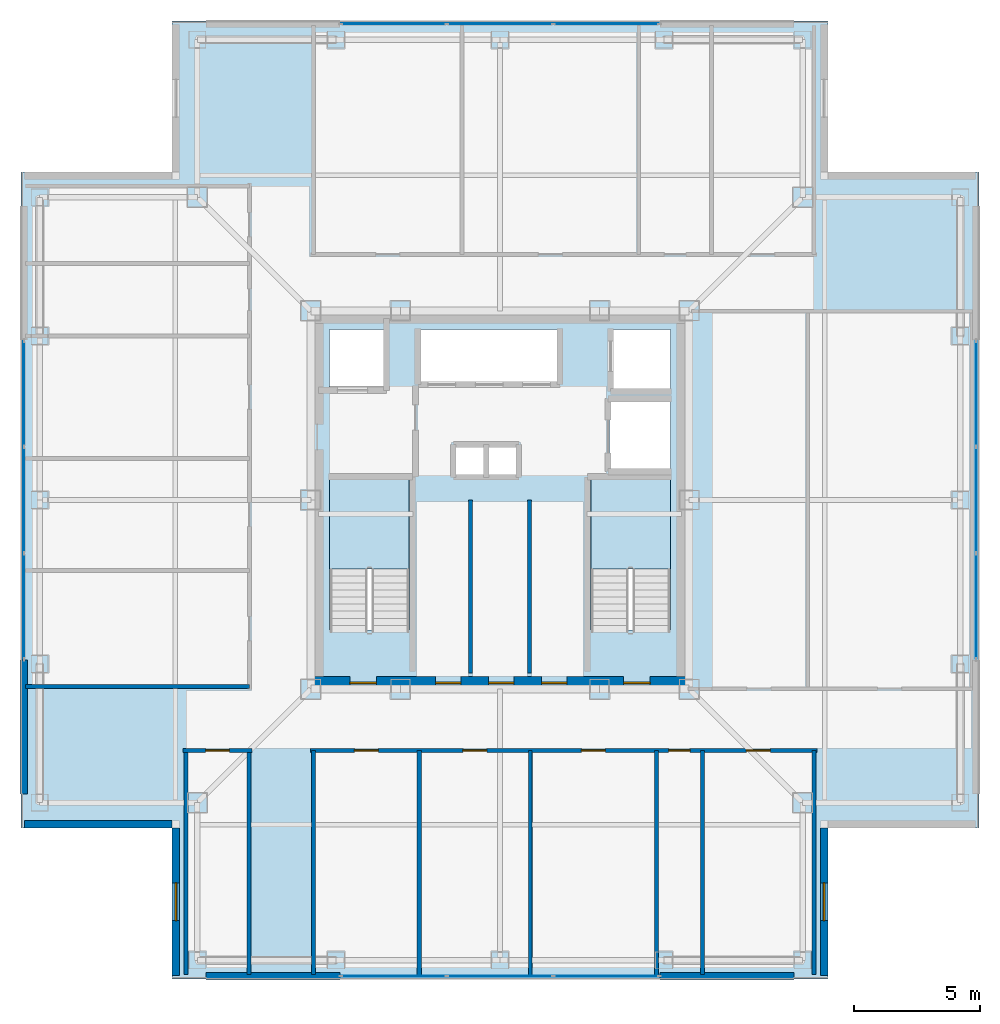
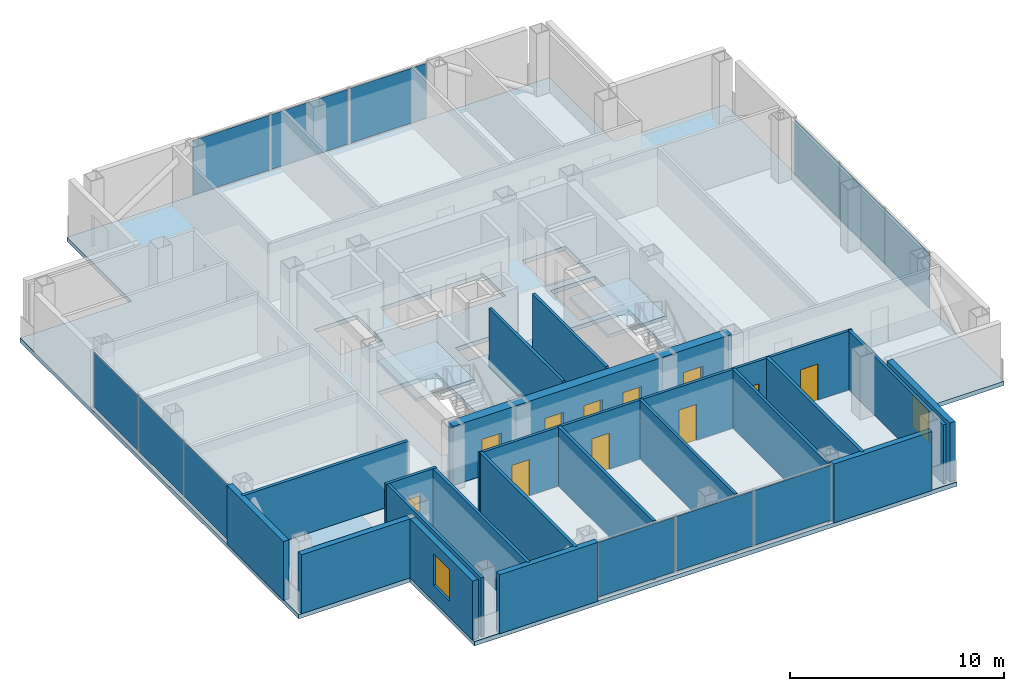
# One storey, part 8 of 16: 20 walls, 12 plates, 11 doors, 3 slabs, 2 windows, 13 openings, 6 elements without a shape of their own.
"""IFC4 building model written with IfcOpenShell, lengths in metres."""

from ifc_helpers import new_model, si_unit, direction, frame, frame_2d, origin, origin_2d, place, context, subcontext, project, spatial, polyline, rectangle, outline, extrude, material, layer, layer_set, type_object, element, fill, aggregate, save


model = new_model("IFC4")

# Units and contexts
model_context = context("Model", 3, precision=1e-05, world=origin(), true_north=direction((0.0, 1.0)))
body_context = subcontext(model_context, "Body", "Model", "MODEL_VIEW")
ifc_project = project(units=[si_unit("LENGTHUNIT", "METRE"), si_unit("AREAUNIT", "SQUARE_METRE"), si_unit("VOLUMEUNIT", "CUBIC_METRE"), si_unit("PLANEANGLEUNIT", "RADIAN"), si_unit("MASSUNIT", "GRAM", prefix="KILO")], contexts=[model_context])

# Site, building, storey
site_placement = place(None, origin())
site = spatial("IfcSite", under=ifc_project, at=site_placement, CompositionType="ELEMENT")
building_placement = place(site_placement, origin())
building = spatial("IfcBuilding", under=site, at=building_placement, Name="Trevonay Congress Spire", CompositionType="ELEMENT")
storey_placement = place(building_placement, frame((0.0, 0.0, 236.0)))
storey = spatial("IfcBuildingStorey", under=building, at=storey_placement, Name="L61", CompositionType="ELEMENT", Elevation=236.0)

# Curtain wall, plates
ifc_material_1 = material(Name="Pale Anodised Aluminium EN AW-6063-T6", Category="aluminium")
ifc_layer_1 = layer(ifc_material_1, 0.1650390625, Name="Pale Anodised Aluminium EN AW-6063-T6")
ifc_layer_set_1 = layer_set([ifc_layer_1], Name="Pale Anodised Aluminium EN AW-6063-T6")
curtain_wall_type = type_object("IfcCurtainWallType", Name="CW-SYS05-DIPLOM-PALE-METAL", PredefinedType="NOTDEFINED", material=ifc_layer_set_1)
curtain_wall_1_placement = place(storey_placement, origin())
curtain_wall_1 = element("IfcCurtainWall", 1, at=curtain_wall_1_placement, inside=storey, type_object=curtain_wall_type, Name="L61 S unitised curtain wall", PredefinedType="NOTDEFINED")
ifc_material_2 = material(Name="Insulated Low-E Vision Glass IGU", Category="glass")
ifc_layer_2 = layer(ifc_material_2, 0.035888671875, Name="Insulated Low-E Vision Glass IGU")
ifc_layer_set_2 = layer_set([ifc_layer_2], Name="Insulated Low-E Vision Glass IGU")
plate_type = type_object("IfcPlateType", Name="CW-PANEL-IGU36-SILVER", PredefinedType="CURTAIN_PANEL", material=ifc_layer_set_2)
plate_1_placement = place(storey_placement, frame((-4.21826171875, -18.8798828125, 0.119873046875), z_axis=(0.0, 0.0, 1.0), x_axis=(1.0, 0.0, 0.0)))
plate_1 = element("IfcPlate", 2, at=plate_1_placement, type_object=plate_type, Name="CW05 panel 1.1", PredefinedType="CURTAIN_PANEL", context=body_context, shape_type="SweptSolid", body=[
    extrude(rectangle(XDim=4.143310546875, YDim=0.035888671875, at=origin_2d()), origin(), (0.0, 0.0, 1.0), 3.1201171875),
])
plate_2_placement = place(storey_placement, frame((0.0, -18.8798828125, 0.119873046875), z_axis=(0.0, 0.0, 1.0), x_axis=(1.0, 0.0, 0.0)))
plate_2 = element("IfcPlate", 3, at=plate_2_placement, type_object=plate_type, Name="CW05 panel 2.1", PredefinedType="CURTAIN_PANEL", context=body_context, shape_type="SweptSolid", body=[
    extrude(rectangle(XDim=4.17333984375, YDim=0.035888671875, at=origin_2d()), origin(), (0.0, 0.0, 1.0), 3.1201171875),
])
plate_3_placement = place(storey_placement, frame((4.21826171875, -18.8798828125, 0.119873046875), z_axis=(0.0, 0.0, 1.0), x_axis=(1.0, 0.0, 0.0)))
plate_3 = element("IfcPlate", 4, at=plate_3_placement, type_object=plate_type, Name="CW05 panel 3.1", PredefinedType="CURTAIN_PANEL", context=body_context, shape_type="SweptSolid", body=[
    extrude(rectangle(XDim=4.143310546875, YDim=0.035888671875, at=origin_2d()), origin(), (0.0, 0.0, 1.0), 3.1201171875),
])
aggregate(curtain_wall_1, [plate_1, plate_2, plate_3])

curtain_wall_2_placement = place(storey_placement, origin())
curtain_wall_2 = element("IfcCurtainWall", 5, at=curtain_wall_2_placement, inside=storey, type_object=curtain_wall_type, Name="L61 N unitised curtain wall", PredefinedType="NOTDEFINED")
plate_4_placement = place(storey_placement, frame((-4.21826171875, 18.8798828125, 0.119873046875), z_axis=(0.0, 0.0, 1.0), x_axis=(1.0, 0.0, 0.0)))
plate_4 = element("IfcPlate", 6, at=plate_4_placement, type_object=plate_type, Name="CW05 panel 1.1", PredefinedType="CURTAIN_PANEL", context=body_context, shape_type="SweptSolid", body=[
    extrude(rectangle(XDim=4.143310546875, YDim=0.035888671875, at=origin_2d()), origin(), (0.0, 0.0, 1.0), 3.1201171875),
])
plate_5_placement = place(storey_placement, frame((0.0, 18.8798828125, 0.119873046875), z_axis=(0.0, 0.0, 1.0), x_axis=(1.0, 0.0, 0.0)))
plate_5 = element("IfcPlate", 7, at=plate_5_placement, type_object=plate_type, Name="CW05 panel 2.1", PredefinedType="CURTAIN_PANEL", context=body_context, shape_type="SweptSolid", body=[
    extrude(rectangle(XDim=4.17333984375, YDim=0.035888671875, at=origin_2d()), origin(), (0.0, 0.0, 1.0), 3.1201171875),
])
plate_6_placement = place(storey_placement, frame((4.21826171875, 18.8798828125, 0.119873046875), z_axis=(0.0, 0.0, 1.0), x_axis=(1.0, 0.0, 0.0)))
plate_6 = element("IfcPlate", 8, at=plate_6_placement, type_object=plate_type, Name="CW05 panel 3.1", PredefinedType="CURTAIN_PANEL", context=body_context, shape_type="SweptSolid", body=[
    extrude(rectangle(XDim=4.143310546875, YDim=0.035888671875, at=origin_2d()), origin(), (0.0, 0.0, 1.0), 3.1201171875),
])
aggregate(curtain_wall_2, [plate_4, plate_5, plate_6])

curtain_wall_3_placement = place(storey_placement, origin())
curtain_wall_3 = element("IfcCurtainWall", 9, at=curtain_wall_3_placement, inside=storey, type_object=curtain_wall_type, Name="L61 W unitised curtain wall", PredefinedType="NOTDEFINED")
plate_7_placement = place(storey_placement, frame((-18.8798828125, -4.21826171875, 0.119873046875), z_axis=(0.0, 0.0, 1.0), x_axis=(0.0, 1.0, 0.0)))
plate_7 = element("IfcPlate", 10, at=plate_7_placement, type_object=plate_type, Name="CW05 panel 1.1", PredefinedType="CURTAIN_PANEL", context=body_context, shape_type="SweptSolid", body=[
    extrude(rectangle(XDim=4.143310546875, YDim=0.035888671875, at=origin_2d()), origin(), (0.0, 0.0, 1.0), 3.1201171875),
])
plate_8_placement = place(storey_placement, frame((-18.8798828125, 0.0, 0.119873046875), z_axis=(0.0, 0.0, 1.0), x_axis=(0.0, 1.0, 0.0)))
plate_8 = element("IfcPlate", 11, at=plate_8_placement, type_object=plate_type, Name="CW05 panel 2.1", PredefinedType="CURTAIN_PANEL", context=body_context, shape_type="SweptSolid", body=[
    extrude(rectangle(XDim=4.17333984375, YDim=0.035888671875, at=origin_2d()), origin(), (0.0, 0.0, 1.0), 3.1201171875),
])
plate_9_placement = place(storey_placement, frame((-18.8798828125, 4.21826171875, 0.119873046875), z_axis=(0.0, 0.0, 1.0), x_axis=(0.0, 1.0, 0.0)))
plate_9 = element("IfcPlate", 12, at=plate_9_placement, type_object=plate_type, Name="CW05 panel 3.1", PredefinedType="CURTAIN_PANEL", context=body_context, shape_type="SweptSolid", body=[
    extrude(rectangle(XDim=4.143310546875, YDim=0.035888671875, at=origin_2d()), origin(), (0.0, 0.0, 1.0), 3.1201171875),
])
aggregate(curtain_wall_3, [plate_7, plate_8, plate_9])

curtain_wall_4_placement = place(storey_placement, origin())
curtain_wall_4 = element("IfcCurtainWall", 13, at=curtain_wall_4_placement, inside=storey, type_object=curtain_wall_type, Name="L61 E unitised curtain wall", PredefinedType="NOTDEFINED")
plate_10_placement = place(storey_placement, frame((18.8798828125, -4.21826171875, 0.119873046875), z_axis=(0.0, 0.0, 1.0), x_axis=(0.0, 1.0, 0.0)))
plate_10 = element("IfcPlate", 14, at=plate_10_placement, type_object=plate_type, Name="CW05 panel 1.1", PredefinedType="CURTAIN_PANEL", context=body_context, shape_type="SweptSolid", body=[
    extrude(rectangle(XDim=4.143310546875, YDim=0.035888671875, at=origin_2d()), origin(), (0.0, 0.0, 1.0), 3.1201171875),
])
plate_11_placement = place(storey_placement, frame((18.8798828125, 0.0, 0.119873046875), z_axis=(0.0, 0.0, 1.0), x_axis=(0.0, 1.0, 0.0)))
plate_11 = element("IfcPlate", 15, at=plate_11_placement, type_object=plate_type, Name="CW05 panel 2.1", PredefinedType="CURTAIN_PANEL", context=body_context, shape_type="SweptSolid", body=[
    extrude(rectangle(XDim=4.17333984375, YDim=0.035888671875, at=origin_2d()), origin(), (0.0, 0.0, 1.0), 3.1201171875),
])
plate_12_placement = place(storey_placement, frame((18.8798828125, 4.21826171875, 0.119873046875), z_axis=(0.0, 0.0, 1.0), x_axis=(0.0, 1.0, 0.0)))
plate_12 = element("IfcPlate", 16, at=plate_12_placement, type_object=plate_type, Name="CW05 panel 3.1", PredefinedType="CURTAIN_PANEL", context=body_context, shape_type="SweptSolid", body=[
    extrude(rectangle(XDim=4.143310546875, YDim=0.035888671875, at=origin_2d()), origin(), (0.0, 0.0, 1.0), 3.1201171875),
])
aggregate(curtain_wall_4, [plate_10, plate_11, plate_12])

# Stair, slab
ifc_material_3 = material(Name="Concrete C40/50", Category="concrete")
stair_type_1 = type_object("IfcStairType", Name="STR-ST-1", PredefinedType="HALF_TURN_STAIR", material=ifc_material_3)
stair_1_placement = place(storey_placement, origin())
stair_1 = element("IfcStair", 17, at=stair_1_placement, inside=storey, type_object=stair_type_1, Name="L61 Protected Exit Stair ST-1", PredefinedType="HALF_TURN_STAIR")
ifc_layer_3 = layer(ifc_material_3, 0.199951171875, Name="Concrete C40/50")
ifc_layer_set_3 = layer_set([ifc_layer_3], Name="Concrete C40/50")
slab_type_1 = type_object("IfcSlabType", Name="SLB-STAIR-LAND-200", PredefinedType="LANDING", material=ifc_layer_set_3)
slab_1_placement = place(storey_placement, frame((0.0, 0.0, 1.60009765625)))
slab_1 = element("IfcSlab", 18, at=slab_1_placement, type_object=slab_type_1, Name="ST-1 landing 1", PredefinedType="LANDING", context=body_context, shape_type="SweptSolid", body=[
    extrude(outline(polyline([(-3.60009765625, -2.72998046875), (-3.60009765625, 0.85009765625), (-6.75, 0.85009765625), (-6.75, -2.72998046875), (-3.60009765625, -2.72998046875)])), origin(), (0.0, 0.0, 1.0), 0.199951171875),
])
aggregate(stair_1, [slab_1])

stair_type_2 = type_object("IfcStairType", Name="STR-ST-2", PredefinedType="HALF_TURN_STAIR", material=ifc_material_3)
stair_2_placement = place(storey_placement, origin())
stair_2 = element("IfcStair", 19, at=stair_2_placement, inside=storey, type_object=stair_type_2, Name="L61 Protected Exit Stair ST-2", PredefinedType="HALF_TURN_STAIR")
slab_2_placement = place(storey_placement, frame((0.0, 0.0, 1.60009765625)))
slab_2 = element("IfcSlab", 20, at=slab_2_placement, type_object=slab_type_1, Name="ST-2 landing 1", PredefinedType="LANDING", context=body_context, shape_type="SweptSolid", body=[
    extrude(outline(polyline([(6.75, -2.72998046875), (6.75, 0.85009765625), (3.60009765625, 0.85009765625), (3.60009765625, -2.72998046875), (6.75, -2.72998046875)])), origin(), (0.0, 0.0, 1.0), 0.199951171875),
])
aggregate(stair_2, [slab_2])

# Slab
ifc_layer_4 = layer(ifc_material_3, 0.239990234375, Name="Concrete C40/50")
ifc_layer_set_4 = layer_set([ifc_layer_4], Name="Concrete C40/50")
slab_type_2 = type_object("IfcSlabType", Name="SLB-TOW2-240", PredefinedType="FLOOR", material=ifc_layer_set_4)
slab_3_placement = place(storey_placement, frame((0.0, 0.0, -0.239990234375)))
element("IfcSlab", 21, at=slab_3_placement, inside=storey, type_object=slab_type_2, Name="L61 structural floor slab", PredefinedType="FLOOR", context=body_context, shape_type="SweptSolid", body=[
    extrude(outline(polyline([(-13.0, -19.0), (13.0, -19.0), (13.0, -13.0), (19.0, -13.0), (19.0, 13.0), (13.0, 13.0), (13.0, 19.0), (-13.0, 19.0), (-13.0, 13.0), (-19.0, 13.0), (-19.0, -13.0), (-13.0, -13.0), (-13.0, -19.0)]), holes=[polyline([(-3.60009765625, -5.14990234375), (-3.60009765625, 0.85009765625), (-6.75, 0.85009765625), (-6.75, -5.14990234375), (-3.60009765625, -5.14990234375)]), polyline([(6.75, -5.14990234375), (6.75, 0.85009765625), (3.60009765625, 0.85009765625), (3.60009765625, -5.14990234375), (6.75, -5.14990234375)]), polyline([(-3.199951171875, 4.64990234375), (2.340087890625, 4.64990234375), (2.340087890625, 6.75), (-3.199951171875, 6.75), (-3.199951171875, 4.64990234375)]), polyline([(-6.75, 4.35009765625), (-4.449951171875, 4.35009765625), (-4.449951171875, 6.75), (-6.75, 6.75), (-6.75, 4.35009765625)]), polyline([(4.449951171875, 4.35009765625), (6.75, 4.35009765625), (6.75, 6.75), (4.449951171875, 6.75), (4.449951171875, 4.35009765625)]), polyline([(4.35009765625, 1.199951171875), (6.75, 1.199951171875), (6.75, 3.949951171875), (4.35009765625, 3.949951171875), (4.35009765625, 1.199951171875)]), polyline([(-1.800048828125, 0.949951171875), (0.699951171875, 0.949951171875), (0.699951171875, 2.14990234375), (-1.800048828125, 2.14990234375), (-1.800048828125, 0.949951171875)])]), origin(), (0.0, 0.0, 1.0), 0.239990234375),
])

# Wall, openings, doors
ifc_material_4 = material(Name="Concrete C50/60", Category="concrete")
ifc_layer_5 = layer(ifc_material_4, 0.5, Name="Concrete C50/60")
ifc_layer_set_5 = layer_set([ifc_layer_5], Name="Concrete C50/60")
wall_type_1 = type_object("IfcWallType", Name="WAL-CORE-500", PredefinedType="SHEAR", material=ifc_layer_set_5)
wall_1_placement = place(storey_placement, frame((-7.5, -7.25, 0.0), z_axis=(0.0, 0.0, 1.0), x_axis=(1.0, 0.0, 0.0)))
wall_1 = element("IfcWall", 22, at=wall_1_placement, inside=storey, type_object=wall_type_1, Name="L61 South structural core shear wall", PredefinedType="SHEAR", context=body_context, shape_type="SweptSolid", body=[
    extrude(rectangle(XDim=15.0, YDim=0.5, at=frame_2d((7.5, 0.0))), origin(), (0.0, 0.0, 1.0), 3.360107421875),
])
opening_1_placement = place(wall_1_placement, frame((1.550048828125, 0.0, 0.0)))
opening_1 = element("IfcOpeningElement", 23, at=opening_1_placement, cuts=wall_1, Name="Opening D05", PredefinedType="OPENING", context=body_context, shape_type="SweptSolid", body=[
    extrude(rectangle(XDim=1.050048828125, YDim=2.080078125, at=frame_2d((0.52490234375, 1.0400390625))), frame((0.0, 0.260009765625, 0.0), z_axis=(0.0, -1.0, 0.0), x_axis=(1.0, 0.0, 0.0)), (0.0, 0.0, 1.0), 0.52001953125),
])
opening_2_placement = place(wall_1_placement, frame((12.39990234375, 0.0, 0.0)))
opening_2 = element("IfcOpeningElement", 24, at=opening_2_placement, cuts=wall_1, Name="Opening D05", PredefinedType="OPENING", context=body_context, shape_type="SweptSolid", body=[
    extrude(rectangle(XDim=1.050048828125, YDim=2.080078125, at=frame_2d((0.52490234375, 1.0400390625))), frame((0.0, 0.260009765625, 0.0), z_axis=(0.0, -1.0, 0.0), x_axis=(1.0, 0.0, 0.0)), (0.0, 0.0, 1.0), 0.52001953125),
])
opening_3_placement = place(wall_1_placement, frame((4.949951171875, 0.0, 0.0)))
opening_3 = element("IfcOpeningElement", 25, at=opening_3_placement, cuts=wall_1, Name="Opening D06", PredefinedType="OPENING", context=body_context, shape_type="SweptSolid", body=[
    extrude(rectangle(XDim=1.0, YDim=2.080078125, at=frame_2d((0.5, 1.0400390625))), frame((0.0, 0.260009765625, 0.0), z_axis=(0.0, -1.0, 0.0), x_axis=(1.0, 0.0, 0.0)), (0.0, 0.0, 1.0), 0.52001953125),
])
opening_4_placement = place(wall_1_placement, frame((7.050048828125, 0.0, 0.0)))
opening_4 = element("IfcOpeningElement", 26, at=opening_4_placement, cuts=wall_1, Name="Opening D06", PredefinedType="OPENING", context=body_context, shape_type="SweptSolid", body=[
    extrude(rectangle(XDim=1.0, YDim=2.080078125, at=frame_2d((0.5, 1.0400390625))), frame((0.0, 0.260009765625, 0.0), z_axis=(0.0, -1.0, 0.0), x_axis=(1.0, 0.0, 0.0)), (0.0, 0.0, 1.0), 0.52001953125),
])
opening_5_placement = place(wall_1_placement, frame((9.14990234375, 0.0, 0.0)))
opening_5 = element("IfcOpeningElement", 27, at=opening_5_placement, cuts=wall_1, Name="Opening D06", PredefinedType="OPENING", context=body_context, shape_type="SweptSolid", body=[
    extrude(rectangle(XDim=1.0, YDim=2.080078125, at=frame_2d((0.5, 1.0400390625))), frame((0.0, 0.260009765625, 0.0), z_axis=(0.0, -1.0, 0.0), x_axis=(1.0, 0.0, 0.0)), (0.0, 0.0, 1.0), 0.52001953125),
])
ifc_material_5 = material(Name="Steel ASTM A572 Grade 50", Category="steel")
door_type_1 = type_object("IfcDoorType", Name="DOR-FIRE-100", OperationType="NOTDEFINED", PredefinedType="DOOR", material=ifc_material_5)
door_1_placement = place(opening_3_placement, origin())
door_1 = element("IfcDoor", 28, at=door_1_placement, inside=storey, type_object=door_type_1, Name="L61 South Core Room 1 Door", OperationType="SINGLE_SWING_RIGHT", OverallHeight=2.080078125, OverallWidth=1.0, PredefinedType="DOOR", context=body_context, shape_type="SweptSolid", body=[
    extrude(rectangle(XDim=1.0, YDim=2.080078125, at=frame_2d((0.5, 1.0400390625))), frame((0.0, 0.02490234375, 0.0), z_axis=(0.0, -1.0, 0.0), x_axis=(1.0, 0.0, 0.0)), (0.0, 0.0, 1.0), 0.050048828125),
])
fill(opening_3, door_1)
door_2_placement = place(opening_4_placement, origin())
door_2 = element("IfcDoor", 29, at=door_2_placement, inside=storey, type_object=door_type_1, Name="L61 South Core Room 2 Door", OperationType="SINGLE_SWING_LEFT", OverallHeight=2.080078125, OverallWidth=1.0, PredefinedType="DOOR", context=body_context, shape_type="SweptSolid", body=[
    extrude(rectangle(XDim=1.0, YDim=2.080078125, at=frame_2d((0.5, 1.0400390625))), frame((0.0, 0.02490234375, 0.0), z_axis=(0.0, -1.0, 0.0), x_axis=(1.0, 0.0, 0.0)), (0.0, 0.0, 1.0), 0.050048828125),
])
fill(opening_4, door_2)
door_3_placement = place(opening_5_placement, origin())
door_3 = element("IfcDoor", 30, at=door_3_placement, inside=storey, type_object=door_type_1, Name="L61 South Core Room 3 Door", OperationType="SINGLE_SWING_RIGHT", OverallHeight=2.080078125, OverallWidth=1.0, PredefinedType="DOOR", context=body_context, shape_type="SweptSolid", body=[
    extrude(rectangle(XDim=1.0, YDim=2.080078125, at=frame_2d((0.5, 1.0400390625))), frame((0.0, 0.02490234375, 0.0), z_axis=(0.0, -1.0, 0.0), x_axis=(1.0, 0.0, 0.0)), (0.0, 0.0, 1.0), 0.050048828125),
])
fill(opening_5, door_3)
door_type_2 = type_object("IfcDoorType", Name="DOR-STAIR-110", OperationType="NOTDEFINED", PredefinedType="DOOR", material=ifc_material_5)
door_4_placement = place(opening_1_placement, origin())
door_4 = element("IfcDoor", 31, at=door_4_placement, inside=storey, type_object=door_type_2, Name="L61 Protected Stair ST-1 Door", OperationType="SINGLE_SWING_LEFT", OverallHeight=2.080078125, OverallWidth=1.050048828125, PredefinedType="DOOR", context=body_context, shape_type="SweptSolid", body=[
    extrude(rectangle(XDim=1.050048828125, YDim=2.080078125, at=frame_2d((0.52490234375, 1.0400390625))), frame((0.0, 0.02490234375, 0.0), z_axis=(0.0, -1.0, 0.0), x_axis=(1.0, 0.0, 0.0)), (0.0, 0.0, 1.0), 0.050048828125),
])
fill(opening_1, door_4)
door_5_placement = place(opening_2_placement, origin())
door_5 = element("IfcDoor", 32, at=door_5_placement, inside=storey, type_object=door_type_2, Name="L61 Protected Stair ST-2 Door", OperationType="SINGLE_SWING_RIGHT", OverallHeight=2.080078125, OverallWidth=1.050048828125, PredefinedType="DOOR", context=body_context, shape_type="SweptSolid", body=[
    extrude(rectangle(XDim=1.050048828125, YDim=2.080078125, at=frame_2d((0.52490234375, 1.0400390625))), frame((0.0, 0.02490234375, 0.0), z_axis=(0.0, -1.0, 0.0), x_axis=(1.0, 0.0, 0.0)), (0.0, 0.0, 1.0), 0.050048828125),
])
fill(opening_2, door_5)

# Wall, opening, door
ifc_layer_6 = layer(ifc_material_3, 0.14990234375, Name="Concrete C40/50")
ifc_layer_set_6 = layer_set([ifc_layer_6], Name="Concrete C40/50")
wall_type_2 = type_object("IfcWallType", Name="WAL-CORR-150", PredefinedType="PARTITIONING", material=ifc_layer_set_6)
wall_2_placement = place(storey_placement, frame((-12.570068359375, -9.929931640625, 0.0), z_axis=(0.0, 0.0, 1.0), x_axis=(1.0, 0.0, 0.0)))
wall_2 = element("IfcWall", 33, at=wall_2_placement, inside=storey, type_object=wall_type_2, Name="L61 interior wall WP-L61SW-COR", PredefinedType="PARTITIONING", context=body_context, shape_type="SweptSolid", body=[
    extrude(rectangle(XDim=2.739990234375, YDim=0.14990234375, at=frame_2d((1.3701171875, 0.0))), origin(), (0.0, 0.0, 1.0), 3.360107421875),
])
opening_6_placement = place(wall_2_placement, frame((0.89501953125, 0.0, 0.0)))
opening_6 = element("IfcOpeningElement", 34, at=opening_6_placement, cuts=wall_2, Name="Opening D07", PredefinedType="OPENING", context=body_context, shape_type="SweptSolid", body=[
    extrude(rectangle(XDim=0.949951171875, YDim=2.06005859375, at=frame_2d((0.47509765625, 1.030029296875))), frame((0.0, 0.0849609375, 0.0), z_axis=(0.0, -1.0, 0.0), x_axis=(1.0, 0.0, 0.0)), (0.0, 0.0, 1.0), 0.169921875),
])
door_type_3 = type_object("IfcDoorType", Name="DOR-OFFICE-95", OperationType="NOTDEFINED", PredefinedType="DOOR", material=ifc_material_1)
door_6_placement = place(opening_6_placement, origin())
door_6 = element("IfcDoor", 35, at=door_6_placement, inside=storey, type_object=door_type_3, Name="L61 Ambassador Corner Office Door", OperationType="SINGLE_SWING_RIGHT", OverallHeight=2.06005859375, OverallWidth=0.949951171875, PredefinedType="DOOR", context=body_context, shape_type="SweptSolid", body=[
    extrude(rectangle(XDim=0.949951171875, YDim=2.06005859375, at=frame_2d((0.47509765625, 1.030029296875))), frame((0.0, 0.02490234375, 0.0), z_axis=(0.0, -1.0, 0.0), x_axis=(1.0, 0.0, 0.0)), (0.0, 0.0, 1.0), 0.050048828125),
])
fill(opening_6, door_6)

# Wall, openings, doors
wall_3_placement = place(storey_placement, frame((-7.52001953125, -9.929931640625, 0.0), z_axis=(0.0, 0.0, 1.0), x_axis=(1.0, 0.0, 0.0)))
wall_3 = element("IfcWall", 36, at=wall_3_placement, inside=storey, type_object=wall_type_2, Name="L61 interior wall WP-L61SE-COR", PredefinedType="PARTITIONING", context=body_context, shape_type="SweptSolid", body=[
    extrude(rectangle(XDim=20.090087890625, YDim=0.14990234375, at=frame_2d((10.044921875, 0.0))), origin(), (0.0, 0.0, 1.0), 3.360107421875),
])
opening_7_placement = place(wall_3_placement, frame((1.7451171875, 0.0, 0.0)))
opening_7 = element("IfcOpeningElement", 37, at=opening_7_placement, cuts=wall_3, Name="Opening D07", PredefinedType="OPENING", context=body_context, shape_type="SweptSolid", body=[
    extrude(rectangle(XDim=0.949951171875, YDim=2.06005859375, at=frame_2d((0.47509765625, 1.030029296875))), frame((0.0, 0.0849609375, 0.0), z_axis=(0.0, -1.0, 0.0), x_axis=(1.0, 0.0, 0.0)), (0.0, 0.0, 1.0), 0.169921875),
])
opening_8_placement = place(wall_3_placement, frame((6.044921875, 0.0, 0.0)))
opening_8 = element("IfcOpeningElement", 38, at=opening_8_placement, cuts=wall_3, Name="Opening D07", PredefinedType="OPENING", context=body_context, shape_type="SweptSolid", body=[
    extrude(rectangle(XDim=0.949951171875, YDim=2.06005859375, at=frame_2d((0.47509765625, 1.030029296875))), frame((0.0, 0.0849609375, 0.0), z_axis=(0.0, -1.0, 0.0), x_axis=(1.0, 0.0, 0.0)), (0.0, 0.0, 1.0), 0.169921875),
])
opening_9_placement = place(wall_3_placement, frame((10.7451171875, 0.0, 0.0)))
opening_9 = element("IfcOpeningElement", 39, at=opening_9_placement, cuts=wall_3, Name="Opening D07", PredefinedType="OPENING", context=body_context, shape_type="SweptSolid", body=[
    extrude(rectangle(XDim=0.949951171875, YDim=2.06005859375, at=frame_2d((0.47509765625, 1.030029296875))), frame((0.0, 0.0849609375, 0.0), z_axis=(0.0, -1.0, 0.0), x_axis=(1.0, 0.0, 0.0)), (0.0, 0.0, 1.0), 0.169921875),
])
opening_10_placement = place(wall_3_placement, frame((14.2099609375, 0.0, 0.0)))
opening_10 = element("IfcOpeningElement", 40, at=opening_10_placement, cuts=wall_3, Name="Opening D10", PredefinedType="OPENING", context=body_context, shape_type="SweptSolid", body=[
    extrude(rectangle(XDim=0.85009765625, YDim=2.050048828125, at=frame_2d((0.425048828125, 1.02490234375))), frame((0.0, 0.0849609375, 0.0), z_axis=(0.0, -1.0, 0.0), x_axis=(1.0, 0.0, 0.0)), (0.0, 0.0, 1.0), 0.169921875),
])
opening_11_placement = place(wall_3_placement, frame((17.284912109375, 0.0, 0.0)))
opening_11 = element("IfcOpeningElement", 41, at=opening_11_placement, cuts=wall_3, Name="Opening D07", PredefinedType="OPENING", context=body_context, shape_type="SweptSolid", body=[
    extrude(rectangle(XDim=0.949951171875, YDim=2.06005859375, at=frame_2d((0.47509765625, 1.030029296875))), frame((0.0, 0.0849609375, 0.0), z_axis=(0.0, -1.0, 0.0), x_axis=(1.0, 0.0, 0.0)), (0.0, 0.0, 1.0), 0.169921875),
])
door_7_placement = place(opening_7_placement, origin())
door_7 = element("IfcDoor", 42, at=door_7_placement, inside=storey, type_object=door_type_3, Name="L61 Consular Visa Office Door", OperationType="SINGLE_SWING_LEFT", OverallHeight=2.06005859375, OverallWidth=0.949951171875, PredefinedType="DOOR", context=body_context, shape_type="SweptSolid", body=[
    extrude(rectangle(XDim=0.949951171875, YDim=2.06005859375, at=frame_2d((0.47509765625, 1.030029296875))), frame((0.0, 0.02490234375, 0.0), z_axis=(0.0, -1.0, 0.0), x_axis=(1.0, 0.0, 0.0)), (0.0, 0.0, 1.0), 0.050048828125),
])
fill(opening_7, door_7)
door_8_placement = place(opening_8_placement, origin())
door_8 = element("IfcDoor", 43, at=door_8_placement, inside=storey, type_object=door_type_3, Name="L61 Political Chancery Office Door", OperationType="SINGLE_SWING_RIGHT", OverallHeight=2.06005859375, OverallWidth=0.949951171875, PredefinedType="DOOR", context=body_context, shape_type="SweptSolid", body=[
    extrude(rectangle(XDim=0.949951171875, YDim=2.06005859375, at=frame_2d((0.47509765625, 1.030029296875))), frame((0.0, 0.02490234375, 0.0), z_axis=(0.0, -1.0, 0.0), x_axis=(1.0, 0.0, 0.0)), (0.0, 0.0, 1.0), 0.050048828125),
])
fill(opening_8, door_8)
door_9_placement = place(opening_9_placement, origin())
door_9 = element("IfcDoor", 44, at=door_9_placement, inside=storey, type_object=door_type_3, Name="L61 Economic Attache Office Door", OperationType="SINGLE_SWING_LEFT", OverallHeight=2.06005859375, OverallWidth=0.949951171875, PredefinedType="DOOR", context=body_context, shape_type="SweptSolid", body=[
    extrude(rectangle(XDim=0.949951171875, YDim=2.06005859375, at=frame_2d((0.47509765625, 1.030029296875))), frame((0.0, 0.02490234375, 0.0), z_axis=(0.0, -1.0, 0.0), x_axis=(1.0, 0.0, 0.0)), (0.0, 0.0, 1.0), 0.050048828125),
])
fill(opening_9, door_9)
door_10_placement = place(opening_11_placement, origin())
door_10 = element("IfcDoor", 45, at=door_10_placement, inside=storey, type_object=door_type_3, Name="L61 Floor Supplies and Copy Room Door", OperationType="SINGLE_SWING_LEFT", OverallHeight=2.06005859375, OverallWidth=0.949951171875, PredefinedType="DOOR", context=body_context, shape_type="SweptSolid", body=[
    extrude(rectangle(XDim=0.949951171875, YDim=2.06005859375, at=frame_2d((0.47509765625, 1.030029296875))), frame((0.0, 0.02490234375, 0.0), z_axis=(0.0, -1.0, 0.0), x_axis=(1.0, 0.0, 0.0)), (0.0, 0.0, 1.0), 0.050048828125),
])
fill(opening_11, door_10)
door_type_4 = type_object("IfcDoorType", Name="DOR-WC-85", OperationType="NOTDEFINED", PredefinedType="DOOR", material=ifc_material_1)
door_11_placement = place(opening_10_placement, origin())
door_11 = element("IfcDoor", 46, at=door_11_placement, inside=storey, type_object=door_type_4, Name="L61 Accessible WC Door", OperationType="SINGLE_SWING_RIGHT", OverallHeight=2.050048828125, OverallWidth=0.85009765625, PredefinedType="DOOR", context=body_context, shape_type="SweptSolid", body=[
    extrude(rectangle(XDim=0.85009765625, YDim=2.050048828125, at=frame_2d((0.425048828125, 1.02490234375))), frame((0.0, 0.02490234375, 0.0), z_axis=(0.0, -1.0, 0.0), x_axis=(1.0, 0.0, 0.0)), (0.0, 0.0, 1.0), 0.050048828125),
])
fill(opening_10, door_11)

# Walls
ifc_material_6 = material(Name="Precast concrete C40/50", Category="concrete")
ifc_layer_7 = layer(ifc_material_6, 0.300048828125, Name="Precast concrete C40/50")
ifc_layer_set_7 = layer_set([ifc_layer_7], Name="Precast concrete C40/50")
wall_type_3 = type_object("IfcWallType", Name="WAL-EXT-PRECAST-300", PredefinedType="SOLIDWALL", material=ifc_layer_set_7)
for number, where, z_axis, x_axis, name in (
    (47, (-11.64990234375, -18.8798828125, 0.0), (0.0, 0.0, 1.0), (1.0, 0.0, 0.0), "L61 SL braced-bay exterior pier wall"),
    (48, (6.35009765625, -18.8798828125, 0.0), (0.0, 0.0, 1.0), (1.0, 0.0, 0.0), "L61 SR braced-bay exterior pier wall"),
    (49, (-18.8798828125, -11.64990234375, 0.0), (0.0, 0.0, 1.0), (0.0, 1.0, 0.0), "L61 WL braced-bay exterior pier wall"),
):
    element("IfcWall", number, at=place(storey_placement, frame(where, z_axis=z_axis, x_axis=x_axis)), inside=storey, type_object=wall_type_3, Name=name, PredefinedType="SOLIDWALL", context=body_context, shape_type="SweptSolid", body=[
        extrude(rectangle(XDim=5.2998046875, YDim=0.300048828125, at=frame_2d((2.64990234375, 0.0))), origin(), (0.0, 0.0, 1.0), 3.360107421875),
    ])

# Wall, opening, window
wall_4_placement = place(storey_placement, frame((-12.85009765625, -18.85009765625, 0.0), z_axis=(0.0, 0.0, 1.0), x_axis=(0.0, 1.0, 0.0)))
wall_4 = element("IfcWall", 50, at=wall_4_placement, inside=storey, type_object=wall_type_3, Name="L61 SW re-entrant notch exterior wall 1", PredefinedType="SOLIDWALL", context=body_context, shape_type="SweptSolid", body=[
    extrude(rectangle(XDim=5.85009765625, YDim=0.300048828125, at=frame_2d((2.925048828125, 0.0))), origin(), (0.0, 0.0, 1.0), 3.360107421875),
])
opening_12_placement = place(wall_4_placement, frame((2.175048828125, 0.0, 0.89990234375)))
opening_12 = element("IfcOpeningElement", 51, at=opening_12_placement, cuts=wall_4, Name="Opening WN03", PredefinedType="OPENING", context=body_context, shape_type="SweptSolid", body=[
    extrude(rectangle(XDim=1.5, YDim=1.800048828125, at=frame_2d((0.75, 0.89990234375))), frame((0.0, 0.16015625, 0.0), z_axis=(0.0, -1.0, 0.0), x_axis=(1.0, 0.0, 0.0)), (0.0, 0.0, 1.0), 0.320068359375),
])
window_type = type_object("IfcWindowType", Name="WIN-NOTCH-150X180", PartitioningType="SINGLE_PANEL", PredefinedType="WINDOW", material=ifc_material_2)
window_1_placement = place(opening_12_placement, origin())
window_1 = element("IfcWindow", 52, at=window_1_placement, inside=storey, type_object=window_type, Name="L61 SW corner notch window", OverallHeight=1.800048828125, OverallWidth=1.5, PartitioningType="SINGLE_PANEL", PredefinedType="WINDOW", context=body_context, shape_type="SweptSolid", body=[
    extrude(rectangle(XDim=1.5, YDim=1.800048828125, at=frame_2d((0.75, 0.89990234375))), frame((0.0, 0.030029296875, 0.0), z_axis=(0.0, -1.0, 0.0), x_axis=(1.0, 0.0, 0.0)), (0.0, 0.0, 1.0), 0.06005859375),
])
fill(opening_12, window_1)

# Wall
wall_5_placement = place(storey_placement, frame((-18.85009765625, -12.85009765625, 0.0), z_axis=(0.0, 0.0, 1.0), x_axis=(1.0, 0.0, 0.0)))
element("IfcWall", 53, at=wall_5_placement, inside=storey, type_object=wall_type_3, Name="L61 SW re-entrant notch exterior wall 2", PredefinedType="SOLIDWALL", context=body_context, shape_type="SweptSolid", body=[
    extrude(rectangle(XDim=5.85009765625, YDim=0.300048828125, at=frame_2d((2.925048828125, 0.0))), origin(), (0.0, 0.0, 1.0), 3.360107421875),
])

# Wall, opening, window
wall_6_placement = place(storey_placement, frame((12.85009765625, -18.85009765625, 0.0), z_axis=(0.0, 0.0, 1.0), x_axis=(0.0, 1.0, 0.0)))
wall_6 = element("IfcWall", 54, at=wall_6_placement, inside=storey, type_object=wall_type_3, Name="L61 SE re-entrant notch exterior wall 1", PredefinedType="SOLIDWALL", context=body_context, shape_type="SweptSolid", body=[
    extrude(rectangle(XDim=5.85009765625, YDim=0.300048828125, at=frame_2d((2.925048828125, 0.0))), origin(), (0.0, 0.0, 1.0), 3.360107421875),
])
opening_13_placement = place(wall_6_placement, frame((2.175048828125, 0.0, 0.89990234375)))
opening_13 = element("IfcOpeningElement", 55, at=opening_13_placement, cuts=wall_6, Name="Opening WN03", PredefinedType="OPENING", context=body_context, shape_type="SweptSolid", body=[
    extrude(rectangle(XDim=1.5, YDim=1.800048828125, at=frame_2d((0.75, 0.89990234375))), frame((0.0, 0.16015625, 0.0), z_axis=(0.0, -1.0, 0.0), x_axis=(1.0, 0.0, 0.0)), (0.0, 0.0, 1.0), 0.320068359375),
])
window_2_placement = place(opening_13_placement, origin())
window_2 = element("IfcWindow", 56, at=window_2_placement, inside=storey, type_object=window_type, Name="L61 SE corner notch window", OverallHeight=1.800048828125, OverallWidth=1.5, PartitioningType="SINGLE_PANEL", PredefinedType="WINDOW", context=body_context, shape_type="SweptSolid", body=[
    extrude(rectangle(XDim=1.5, YDim=1.800048828125, at=frame_2d((0.75, 0.89990234375))), frame((0.0, 0.030029296875, 0.0), z_axis=(0.0, -1.0, 0.0), x_axis=(1.0, 0.0, 0.0)), (0.0, 0.0, 1.0), 0.06005859375),
])
fill(opening_13, window_2)

# Walls
ifc_layer_8 = layer(ifc_material_3, 0.14990234375, Name="Concrete C40/50")
ifc_layer_set_8 = layer_set([ifc_layer_8], Name="Concrete C40/50")
wall_type_4 = type_object("IfcWallType", Name="WAL-PART-150", PredefinedType="PARTITIONING", material=ifc_layer_set_8)
for number, where, z_axis, x_axis, name in (
    (57, (-1.169921875, -6.85009765625, 0.0), (0.0, 0.0, 1.0), (0.0, 1.0, 0.0), "L61 interior wall CW-F2A-L61"),
    (58, (1.169921875, -6.85009765625, 0.0), (0.0, 0.0, 1.0), (0.0, 1.0, 0.0), "L61 interior wall CW-F2B-L61"),
):
    element("IfcWall", number, at=place(storey_placement, frame(where, z_axis=z_axis, x_axis=x_axis)), inside=storey, type_object=wall_type_4, Name=name, PredefinedType="PARTITIONING", context=body_context, shape_type="SweptSolid", body=[
        extrude(rectangle(XDim=6.85009765625, YDim=0.14990234375, at=frame_2d((3.425048828125, 0.0))), origin(), (0.0, 0.0, 1.0), 3.360107421875),
    ])
for number, where, z_axis, x_axis, name in (
    (59, (-12.449951171875, -18.820068359375, 0.0), (0.0, 0.0, 1.0), (0.0, 1.0, 0.0), "L61 interior wall WP-L61SW-DIV1"),
    (60, (-9.949951171875, -18.820068359375, 0.0), (0.0, 0.0, 1.0), (0.0, 1.0, 0.0), "L61 interior wall WP-L61SW-DIV2"),
    (61, (1.199951171875, -18.820068359375, 0.0), (0.0, 0.0, 1.0), (0.0, 1.0, 0.0), "L61 interior wall WP-L61SE-DIV3"),
    (62, (6.199951171875, -18.820068359375, 0.0), (0.0, 0.0, 1.0), (0.0, 1.0, 0.0), "L61 interior wall WP-L61SE-DIV4"),
    (63, (12.449951171875, -18.820068359375, 0.0), (0.0, 0.0, 1.0), (0.0, 1.0, 0.0), "L61 interior wall WP-L61SE-DIV5"),
):
    element("IfcWall", number, at=place(storey_placement, frame(where, z_axis=z_axis, x_axis=x_axis)), inside=storey, type_object=wall_type_4, Name=name, PredefinedType="PARTITIONING", context=body_context, shape_type="SweptSolid", body=[
        extrude(rectangle(XDim=8.89013671875, YDim=0.14990234375, at=frame_2d((4.445068359375, 0.0))), origin(), (0.0, 0.0, 1.0), 3.360107421875),
    ])
ifc_layer_9 = layer(ifc_material_3, 0.1650390625, Name="Concrete C40/50")
ifc_layer_set_9 = layer_set([ifc_layer_9], Name="Concrete C40/50")
wall_type_5 = type_object("IfcWallType", Name="WAL-WET-165", PredefinedType="PLUMBINGWALL", material=ifc_layer_set_9)
for number, where, z_axis, x_axis, name in (
    (64, (8.030029296875, -18.820068359375, 0.0), (0.0, 0.0, 1.0), (0.0, 1.0, 0.0), "L61 interior wall WP-L61SE-WCS4"),
    (65, (-7.39990234375, -18.820068359375, 0.0), (0.0, 0.0, 1.0), (0.0, 1.0, 0.0), "L61 interior wall WP-L61SE-DIV1"),
    (66, (-3.199951171875, -18.820068359375, 0.0), (0.0, 0.0, 1.0), (0.0, 1.0, 0.0), "L61 interior wall WP-L61SE-DIV2"),
    (67, (-18.820068359375, -7.39990234375, 0.0), (0.0, 0.0, 1.0), (1.0, 0.0, 0.0), "L61 interior wall WP-L61NW-DIV1"),
):
    element("IfcWall", number, at=place(storey_placement, frame(where, z_axis=z_axis, x_axis=x_axis)), inside=storey, type_object=wall_type_5, Name=name, PredefinedType="PLUMBINGWALL", context=body_context, shape_type="SweptSolid", body=[
        extrude(rectangle(XDim=8.89013671875, YDim=0.1650390625, at=frame_2d((4.445068359375, 0.0))), origin(), (0.0, 0.0, 1.0), 3.360107421875),
    ])

save(model, "model.ifc")
